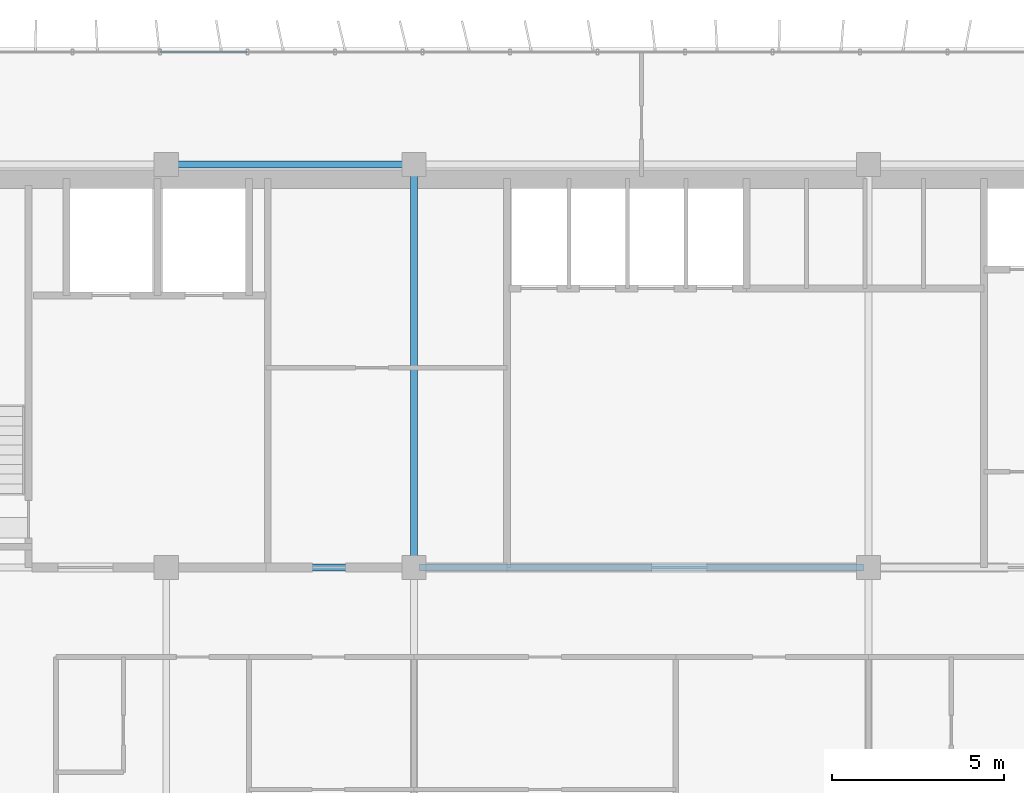
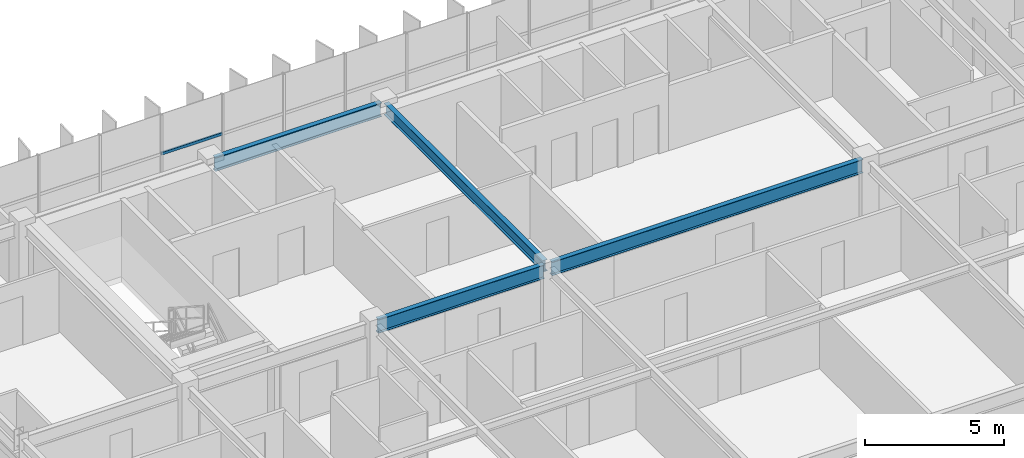
# One storey, part 5 of 20: 4 beams, 1 member, 1 element without a shape of its own.
"""IFC4 building model written with IfcOpenShell, lengths in metres."""

from ifc_helpers import new_model, si_unit, direction, frame, origin, origin_2d, place, context, subcontext, project, spatial, hollow_rectangle, i_section, extrude, source, transform, mapped, material, material_profile, profile_set, type_object, element, aggregate, save


model = new_model("IFC4")

# Units and contexts
model_context = context("Model", 3, precision=1e-05, world=origin(), true_north=direction((0.0, 1.0)))
body_context = subcontext(model_context, "Body", "Model", "MODEL_VIEW")
ifc_project = project(units=[si_unit("LENGTHUNIT", "METRE"), si_unit("AREAUNIT", "SQUARE_METRE"), si_unit("VOLUMEUNIT", "CUBIC_METRE"), si_unit("PLANEANGLEUNIT", "RADIAN"), si_unit("MASSUNIT", "GRAM", prefix="KILO")], contexts=[model_context])

# Site, building, storey
site_placement = place(None, origin())
site = spatial("IfcSite", under=ifc_project, at=site_placement, CompositionType="ELEMENT")
building_placement = place(site_placement, origin())
building = spatial("IfcBuilding", under=site, at=building_placement, Name="Trelvane Seafront Commons", CompositionType="ELEMENT")
storey_placement = place(building_placement, frame((0.0, 0.0, 171.699951171875)))
storey = spatial("IfcBuildingStorey", under=building, at=storey_placement, Name="L45", CompositionType="ELEMENT", Elevation=171.699951171875)

# Beams
ifc_material_1 = material(Name="Steel SM355 (S355)", Category="steel")
ifc_material_profile_1 = material_profile(ifc_material_1, i_section(OverallWidth=0.199951171875, OverallDepth=0.5, WebThickness=0.010009765625, FlangeThickness=0.01611328125, at=origin_2d()), Name="H-500x200x10x16")
ifc_profile_set_1 = profile_set([ifc_material_profile_1], Name="Steel SM355 (S355)")
beam_type_1 = type_object("IfcBeamType", Name="STR-BM-H500", PredefinedType="BEAM", material=ifc_profile_set_1)
shared_shape_1 = source(origin(), body_context, "Body", "SweptSolid", [
    extrude(i_section(OverallWidth=0.199951171875, OverallDepth=0.5, WebThickness=0.010009765625, FlangeThickness=0.01611328125, at=origin_2d()), origin(), (0.0, 0.0, 1.0), 11.39990234375),
])
beam_1_placement = place(storey_placement, frame((30.60009765625, 33.550048828125, 3.10009765625), z_axis=(0.0, 1.0, 0.0), x_axis=(-1.0, 0.0, 0.0)))
element("IfcBeam", 1, at=beam_1_placement, inside=storey, type_object=beam_type_1, Name="L45 Primary Girder G-40", PredefinedType="BEAM", context=body_context, shape_type="MappedRepresentation", body=[
    mapped(shared_shape_1, transform((0.0, 0.0, 0.0), x_axis=(1.0, 0.0, 0.0), y_axis=(0.0, 1.0, 0.0), z_axis=(0.0, 0.0, 1.0), scale=1.0)),
])
ifc_material_profile_2 = material_profile(ifc_material_1, i_section(OverallWidth=0.199951171875, OverallDepth=0.60009765625, WebThickness=0.010986328125, FlangeThickness=0.01708984375, at=origin_2d()), Name="H-600x200x11x17")
ifc_profile_set_2 = profile_set([ifc_material_profile_2], Name="Steel SM355 (S355)")
beam_type_2 = type_object("IfcBeamType", Name="STR-SPD-H600", PredefinedType="SPANDREL", material=ifc_profile_set_2)
shared_shape_2 = source(origin(), body_context, "Body", "SweptSolid", [
    extrude(i_section(OverallWidth=0.199951171875, OverallDepth=0.60009765625, WebThickness=0.010986328125, FlangeThickness=0.01708984375, at=origin_2d()), origin(), (0.0, 0.0, 1.0), 12.89990234375),
])
beam_2_placement = place(storey_placement, frame((30.75, 33.39990234375, 3.050048828125), z_axis=(1.0, 0.0, 0.0), x_axis=(0.0, 1.0, 0.0)))
element("IfcBeam", 2, at=beam_2_placement, inside=storey, type_object=beam_type_2, Name="L45 Primary Girder G-18", PredefinedType="SPANDREL", context=body_context, shape_type="MappedRepresentation", body=[
    mapped(shared_shape_2, transform((0.0, 0.0, 0.0), x_axis=(1.0, 0.0, 0.0), y_axis=(0.0, 1.0, 0.0), z_axis=(0.0, 0.0, 1.0), scale=1.0)),
])
shared_shape_3 = source(origin(), body_context, "Body", "SweptSolid", [
    extrude(i_section(OverallWidth=0.199951171875, OverallDepth=0.60009765625, WebThickness=0.010986328125, FlangeThickness=0.01708984375, at=origin_2d()), origin(), (0.0, 0.0, 1.0), 6.89990234375),
])
for number, where, z_axis, x_axis, name in (
    (3, (23.550048828125, 33.39990234375, 3.050048828125), (1.0, 0.0, 0.0), (0.0, 1.0, 0.0), "L45 Primary Girder G-17"),
    (4, (23.550048828125, 45.10009765625, 3.050048828125), (1.0, 0.0, 0.0), (0.0, 1.0, 0.0), "L45 Primary Girder G-24"),
):
    element("IfcBeam", number, at=place(storey_placement, frame(where, z_axis=z_axis, x_axis=x_axis)), inside=storey, type_object=beam_type_2, Name=name, PredefinedType="SPANDREL", context=body_context, shape_type="MappedRepresentation", body=[
        mapped(shared_shape_3, transform((0.0, 0.0, 0.0), x_axis=(1.0, 0.0, 0.0), y_axis=(0.0, 1.0, 0.0), z_axis=(0.0, 0.0, 1.0), scale=1.0)),
    ])

# Curtain wall, member
ifc_material_2 = material(Name="Anodised pale-silver aluminium", Category="aluminium")
curtain_wall_type = type_object("IfcCurtainWallType", Name="ARCH-CW5-UPTOWER", PredefinedType="NOTDEFINED", material=ifc_material_2)
curtain_wall_placement = place(storey_placement, origin())
curtain_wall = element("IfcCurtainWall", 5, at=curtain_wall_placement, inside=storey, type_object=curtain_wall_type, Name="CW-L45-0072", PredefinedType="NOTDEFINED")
ifc_material_profile_3 = material_profile(ifc_material_2, hollow_rectangle(XDim=0.070068359375, YDim=0.1201171875, WallThickness=0.00390625, at=origin_2d()), Name="TRAN-70x120x4")
ifc_profile_set_3 = profile_set([ifc_material_profile_3], Name="Anodised pale-silver aluminium")
member_type = type_object("IfcMemberType", Name="ARCH-CW-TRAN-120", PredefinedType="USERDEFINED", material=ifc_profile_set_3)
shared_shape_4 = source(origin(), body_context, "Body", "SweptSolid", [
    extrude(hollow_rectangle(XDim=0.070068359375, YDim=0.1201171875, WallThickness=0.00390625, at=origin_2d()), origin(), (0.0, 0.0, 1.0), 2.51708984375),
])
member_placement = place(storey_placement, frame((23.235595703125, 48.3701171875, 1.608154296875), z_axis=(1.0, 0.0, 0.0), x_axis=(0.0, 1.0, 0.0)))
member = element("IfcMember", 6, at=member_placement, type_object=member_type, Name="CW-L45-0072-T03", ObjectType="TRANSOM", PredefinedType="USERDEFINED", context=body_context, shape_type="MappedRepresentation", body=[
    mapped(shared_shape_4, transform((0.0, 0.0, 0.0), x_axis=(1.0, 0.0, 0.0), y_axis=(0.0, 1.0, 0.0), z_axis=(0.0, 0.0, 1.0), scale=1.0)),
])
aggregate(curtain_wall, [member])

save(model, "model.ifc")
